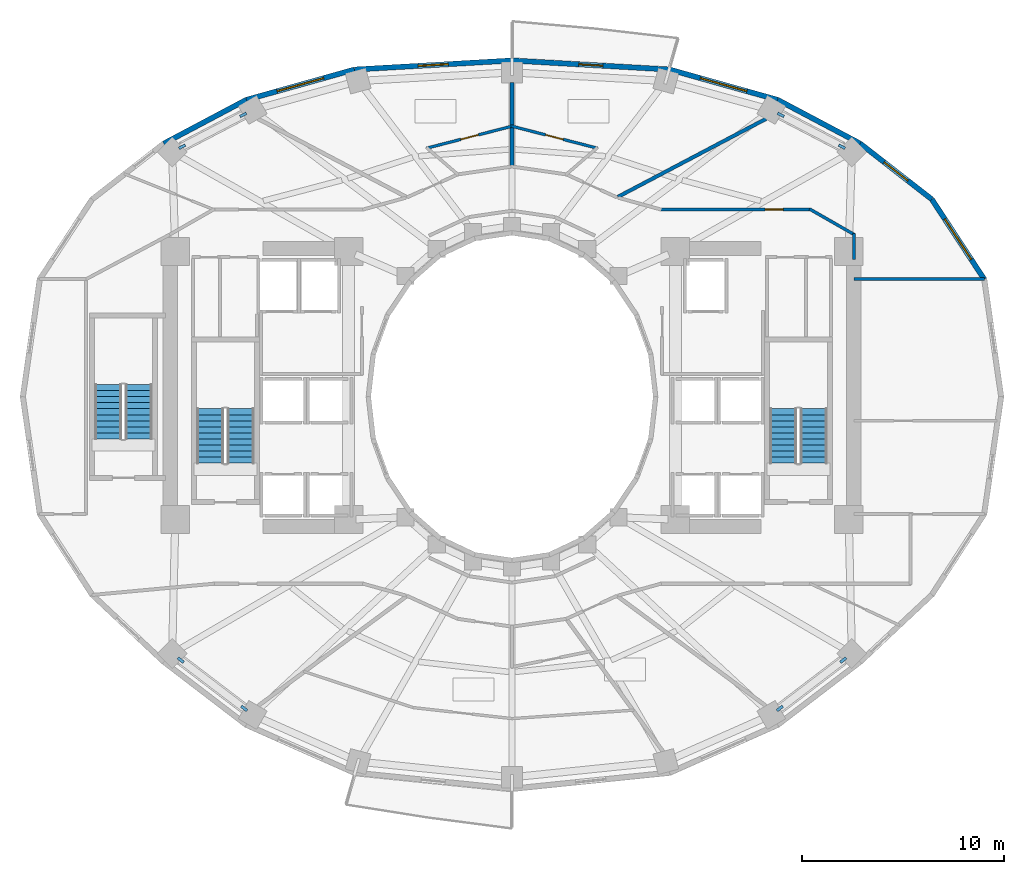
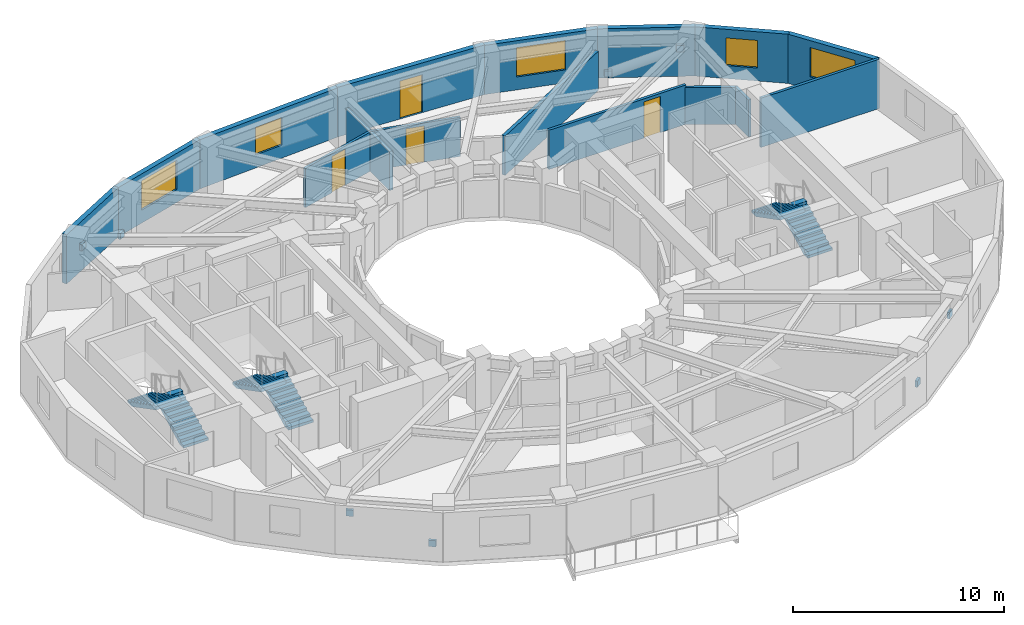
# One storey, part 7 of 9: 16 walls, 8 discrete accessories, 6 stair flights, 5 windows, 4 doors, 9 openings, 3 elements without a shape of their own.
"""IFC4 building model written with IfcOpenShell, lengths in metres."""

from ifc_helpers import new_model, si_unit, direction, frame, frame_2d, origin, origin_2d, place, context, subcontext, project, spatial, polyline, rectangle, outline, extrude, material, layer, layer_set, type_object, element, fill, aggregate, save


model = new_model("IFC4")

# Units and contexts
model_context = context("Model", 3, precision=1e-05, world=origin(), true_north=direction((0.0, 1.0)))
body_context = subcontext(model_context, "Body", "Model", "MODEL_VIEW")
ifc_project = project(units=[si_unit("LENGTHUNIT", "METRE"), si_unit("AREAUNIT", "SQUARE_METRE"), si_unit("VOLUMEUNIT", "CUBIC_METRE"), si_unit("PLANEANGLEUNIT", "RADIAN"), si_unit("MASSUNIT", "GRAM", prefix="KILO")], contexts=[model_context])

# Site, building, storey
site_placement = place(None, origin())
site = spatial("IfcSite", under=ifc_project, at=site_placement, CompositionType="ELEMENT")
building_placement = place(site_placement, origin())
building = spatial("IfcBuilding", under=site, at=building_placement, Name="Solvane Sanctuary Tower", CompositionType="ELEMENT")
storey_placement = place(building_placement, frame((0.0, 0.0, 98.0)))
storey = spatial("IfcBuildingStorey", under=building, at=storey_placement, Name="L29", CompositionType="ELEMENT", Elevation=98.0)

# Walls
ifc_material_1 = material(Name="Acoustic Gypsum Partition Board")
ifc_layer_1 = layer(ifc_material_1, 0.14990234375, Name="Acoustic Gypsum Partition Board")
ifc_layer_set_1 = layer_set([ifc_layer_1], Name="Acoustic Gypsum Partition Board")
wall_type_1 = type_object("IfcWallType", Name="Wall W-CORR-150", PredefinedType="PARTITIONING", material=ifc_layer_set_1)
wall_1_placement = place(storey_placement, frame((48.949951171875, 28.8251953125, 0.0), z_axis=(0.0, 0.0, 1.0), x_axis=(1.0, 0.0, 0.0)))
element("IfcWall", 1, at=wall_1_placement, inside=storey, type_object=wall_type_1, Name="L29 East Shoulder North Wall", PredefinedType="PARTITIONING", context=body_context, shape_type="SweptSolid", body=[
    extrude(rectangle(XDim=6.49169921875, YDim=0.14990234375, at=frame_2d((3.245849609375, 0.0))), origin(), (0.0, 0.0, 1.0), 2.85498046875),
])
wall_2_placement = place(storey_placement, frame((48.949951171875, 29.800048828125, 0.0), z_axis=(0.0, 0.0, 1.0), x_axis=(0.0, 1.0, 0.0)))
element("IfcWall", 2, at=wall_2_placement, inside=storey, type_object=wall_type_1, Name="L29 NE Corner Closer 1", PredefinedType="PARTITIONING", context=body_context, shape_type="SweptSolid", body=[
    extrude(rectangle(XDim=1.2900390625, YDim=0.14990234375, at=frame_2d((0.64501953125, 0.0))), origin(), (0.0, 0.0, 1.0), 2.14208984375),
])

# Wall, opening, door
wall_3_placement = place(storey_placement, frame((39.330078125, 32.280029296875, 0.0), z_axis=(0.0, 0.0, 1.0), x_axis=(1.0, 0.0, 0.0)))
wall_3 = element("IfcWall", 3, at=wall_3_placement, inside=storey, type_object=wall_type_1, Name="L29 NE Corner Corridor Wall", PredefinedType="PARTITIONING", context=body_context, shape_type="SweptSolid", body=[
    extrude(rectangle(XDim=7.52001953125, YDim=0.14990234375, at=frame_2d((3.760009765625, 0.0))), origin(), (0.0, 0.0, 1.0), 2.27197265625),
])
opening_1_placement = place(wall_3_placement, frame((5.219970703125, 0.0, 0.0)))
opening_1 = element("IfcOpeningElement", 4, at=opening_1_placement, cuts=wall_3, Name="Opening D-L29-15", PredefinedType="OPENING", context=body_context, shape_type="SweptSolid", body=[
    extrude(rectangle(XDim=0.89990234375, YDim=2.10009765625, at=frame_2d((0.449951171875, 1.050048828125))), frame((0.0, 0.0849609375, 0.0), z_axis=(0.0, -1.0, 0.0), x_axis=(1.0, 0.0, 0.0)), (0.0, 0.0, 1.0), 0.169921875),
])
ifc_material_2 = material(Name="Engineered Tropical Hardwood", Category="wood")
door_type_1 = type_object("IfcDoorType", Name="Door D-WET-900", OperationType="NOTDEFINED", PredefinedType="DOOR", material=ifc_material_2)
door_1_placement = place(opening_1_placement, origin())
door_1 = element("IfcDoor", 5, at=door_1_placement, inside=storey, type_object=door_type_1, Name="L29 NE Corner Salon Door", OperationType="SINGLE_SWING_LEFT", OverallHeight=2.10009765625, OverallWidth=0.89990234375, PredefinedType="DOOR", context=body_context, shape_type="SweptSolid", body=[
    extrude(rectangle(XDim=0.89990234375, YDim=2.10009765625, at=frame_2d((0.449951171875, 1.050048828125))), frame((0.0, 0.02490234375, 0.0), z_axis=(0.0, -1.0, 0.0), x_axis=(1.0, 0.0, 0.0)), (0.0, 0.0, 1.0), 0.050048828125),
])
fill(opening_1, door_1)

# Wall
wall_4_placement = place(storey_placement, frame((46.756591796875, 32.3046875, 0.0), z_axis=(0.0, 0.0, 1.0), x_axis=(0.867991349648, -0.496579315857, 0.0)))
element("IfcWall", 6, at=wall_4_placement, inside=storey, type_object=wall_type_1, Name="L29 NE Corner Wing Wall", PredefinedType="PARTITIONING", context=body_context, shape_type="SweptSolid", body=[
    extrude(rectangle(XDim=2.56689453125, YDim=0.14990234375, at=frame_2d((1.283447265625, 0.0))), origin(), (0.0, 0.0, 1.0), 2.14208984375),
])

# Wall, opening, window
ifc_material_3 = material(Name="Precast concrete C40/50", Category="concrete")
ifc_layer_2 = layer(ifc_material_3, 0.260009765625, Name="Precast concrete C40/50")
ifc_layer_set_2 = layer_set([ifc_layer_2], Name="Precast concrete C40/50")
wall_type_2 = type_object("IfcWallType", Name="Wall W-EXT-250", PredefinedType="STANDARD", material=ifc_layer_set_2)
wall_5_placement = place(storey_placement, frame((55.421875, 28.818603515625, 0.0), z_axis=(0.0, 0.0, 1.0), x_axis=(-0.548283220945, 0.836292717672, 0.0)))
wall_5 = element("IfcWall", 7, at=wall_5_placement, inside=storey, type_object=wall_type_2, Name="L29 Ceramic-Printed Facade Wall 01", PredefinedType="STANDARD", context=body_context, shape_type="SweptSolid", body=[
    extrude(rectangle(XDim=4.744384765625, YDim=0.260009765625, at=frame_2d((2.3720703125, 0.0))), origin(), (0.0, 0.0, 1.0), 2.85009765625),
])
opening_2_placement = place(wall_5_placement, frame((1.172119140625, 0.0, 0.75)))
opening_2 = element("IfcOpeningElement", 8, at=opening_2_placement, cuts=wall_5, Name="Opening WN-RIB-2400", PredefinedType="OPENING", context=body_context, shape_type="SweptSolid", body=[
    extrude(rectangle(XDim=2.39990234375, YDim=1.699951171875, at=frame_2d((1.199951171875, 0.85009765625))), frame((0.0, 0.139892578125, 0.0), z_axis=(0.0, -1.0, 0.0), x_axis=(1.0, 0.0, 0.0)), (0.0, 0.0, 1.0), 0.280029296875),
])
ifc_material_4 = material(Name="Dark Ceramic-Fritted Low-E Glass", Category="glass")
window_type_1 = type_object("IfcWindowType", Name="Window WN-RIB-2400", PartitioningType="SINGLE_PANEL", PredefinedType="WINDOW", material=ifc_material_4)
window_1_placement = place(opening_2_placement, origin())
window_1 = element("IfcWindow", 9, at=window_1_placement, inside=storey, type_object=window_type_1, Name="L29 Operable Facade Window 01", OverallHeight=1.699951171875, OverallWidth=2.39990234375, PartitioningType="SINGLE_PANEL", PredefinedType="WINDOW", context=body_context, shape_type="SweptSolid", body=[
    extrude(rectangle(XDim=2.39990234375, YDim=1.699951171875, at=frame_2d((1.199951171875, 0.85009765625))), frame((0.0, 0.030029296875, 0.0), z_axis=(0.0, -1.0, 0.0), x_axis=(1.0, 0.0, 0.0)), (0.0, 0.0, 1.0), 0.06005859375),
])
fill(opening_2, window_1)

wall_6_placement = place(storey_placement, frame((52.820556640625, 32.786376953125, 0.0), z_axis=(0.0, 0.0, 1.0), x_axis=(-0.789127449954, 0.614229491094, 0.0)))
wall_6 = element("IfcWall", 10, at=wall_6_placement, inside=storey, type_object=wall_type_2, Name="L29 Ceramic-Printed Facade Wall 02", PredefinedType="STANDARD", context=body_context, shape_type="SweptSolid", body=[
    extrude(rectangle(XDim=4.504638671875, YDim=0.260009765625, at=frame_2d((2.25244140625, 0.0))), origin(), (0.0, 0.0, 1.0), 2.85009765625),
])
opening_3_placement = place(wall_6_placement, frame((1.502197265625, 0.0, 0.75)))
opening_3 = element("IfcOpeningElement", 11, at=opening_3_placement, cuts=wall_6, Name="Opening WN-OPER-1500", PredefinedType="OPENING", context=body_context, shape_type="SweptSolid", body=[
    extrude(rectangle(XDim=1.5, YDim=1.60009765625, at=frame_2d((0.75, 0.800048828125))), frame((0.0, 0.139892578125, 0.0), z_axis=(0.0, -1.0, 0.0), x_axis=(1.0, 0.0, 0.0)), (0.0, 0.0, 1.0), 0.280029296875),
])
window_type_2 = type_object("IfcWindowType", Name="Window WN-OPER-1500", PartitioningType="SINGLE_PANEL", PredefinedType="WINDOW", material=ifc_material_4)
window_2_placement = place(opening_3_placement, origin())
window_2 = element("IfcWindow", 12, at=window_2_placement, inside=storey, type_object=window_type_2, Name="L29 Operable Facade Window 02", OverallHeight=1.60009765625, OverallWidth=1.5, PartitioningType="SINGLE_PANEL", PredefinedType="WINDOW", context=body_context, shape_type="SweptSolid", body=[
    extrude(rectangle(XDim=1.5, YDim=1.60009765625, at=frame_2d((0.75, 0.800048828125))), frame((0.0, 0.030029296875, 0.0), z_axis=(0.0, -1.0, 0.0), x_axis=(1.0, 0.0, 0.0)), (0.0, 0.0, 1.0), 0.06005859375),
])
fill(opening_3, window_2)

# Wall
wall_7_placement = place(storey_placement, frame((49.265869140625, 35.55322265625, 0.0), z_axis=(0.0, 0.0, 1.0), x_axis=(-0.883668636807, 0.4681129568, 0.0)))
element("IfcWall", 13, at=wall_7_placement, inside=storey, type_object=wall_type_2, Name="L29 Ceramic-Printed Facade Wall 03", PredefinedType="STANDARD", context=body_context, shape_type="SweptSolid", body=[
    extrude(rectangle(XDim=4.63134765625, YDim=0.260009765625, at=frame_2d((2.315673828125, 0.0))), origin(), (0.0, 0.0, 1.0), 2.85009765625),
])

# Wall, opening, window
wall_8_placement = place(storey_placement, frame((45.17333984375, 37.72119140625, 0.0), z_axis=(0.0, 0.0, 1.0), x_axis=(-0.962938491413, 0.269721081407, 0.0)))
wall_8 = element("IfcWall", 14, at=wall_8_placement, inside=storey, type_object=wall_type_2, Name="L29 Ceramic-Printed Facade Wall 04", PredefinedType="STANDARD", context=body_context, shape_type="SweptSolid", body=[
    extrude(rectangle(XDim=5.563232421875, YDim=0.260009765625, at=frame_2d((2.78173828125, 0.0))), origin(), (0.0, 0.0, 1.0), 2.85009765625),
])
opening_4_placement = place(wall_8_placement, frame((1.58154296875, 0.0, 0.75)))
opening_4 = element("IfcOpeningElement", 15, at=opening_4_placement, cuts=wall_8, Name="Opening WN-RIB-2400", PredefinedType="OPENING", context=body_context, shape_type="SweptSolid", body=[
    extrude(rectangle(XDim=2.39990234375, YDim=1.699951171875, at=frame_2d((1.199951171875, 0.85009765625))), frame((0.0, 0.139892578125, 0.0), z_axis=(0.0, -1.0, 0.0), x_axis=(1.0, 0.0, 0.0)), (0.0, 0.0, 1.0), 0.280029296875),
])
window_3_placement = place(opening_4_placement, origin())
window_3 = element("IfcWindow", 16, at=window_3_placement, inside=storey, type_object=window_type_1, Name="L29 Operable Facade Window 04", OverallHeight=1.699951171875, OverallWidth=2.39990234375, PartitioningType="SINGLE_PANEL", PredefinedType="WINDOW", context=body_context, shape_type="SweptSolid", body=[
    extrude(rectangle(XDim=2.39990234375, YDim=1.699951171875, at=frame_2d((1.199951171875, 0.85009765625))), frame((0.0, 0.030029296875, 0.0), z_axis=(0.0, -1.0, 0.0), x_axis=(1.0, 0.0, 0.0)), (0.0, 0.0, 1.0), 0.06005859375),
])
fill(opening_4, window_3)

# Wall, opening, door
wall_9_placement = place(storey_placement, frame((39.81640625, 39.2216796875, 0.0), z_axis=(0.0, 0.0, 1.0), x_axis=(-0.998352606703, 0.057376586592, 0.0)))
wall_9 = element("IfcWall", 17, at=wall_9_placement, inside=storey, type_object=wall_type_2, Name="L29 Balcony Facade Wall NC", PredefinedType="STANDARD", context=body_context, shape_type="SweptSolid", body=[
    extrude(rectangle(XDim=7.829345703125, YDim=0.260009765625, at=frame_2d((3.91455078125, 0.0))), origin(), (0.0, 0.0, 1.0), 2.8798828125),
])
opening_5_placement = place(wall_9_placement, frame((3.314697265625, 0.0, 0.0)))
opening_5 = element("IfcOpeningElement", 18, at=opening_5_placement, cuts=wall_9, Name="Opening D-L29-01", PredefinedType="OPENING", context=body_context, shape_type="SweptSolid", body=[
    extrude(rectangle(XDim=1.199951171875, YDim=2.199951171875, at=frame_2d((0.60009765625, 1.10009765625))), frame((0.0, 0.139892578125, 0.0), z_axis=(0.0, -1.0, 0.0), x_axis=(1.0, 0.0, 0.0)), (0.0, 0.0, 1.0), 0.280029296875),
])
ifc_material_5 = material(Name="Anodised Aluminium 6063-T6", Category="aluminium")
door_type_2 = type_object("IfcDoorType", Name="Door D-BALC-1200", OperationType="NOTDEFINED", PredefinedType="DOOR", material=ifc_material_5)
door_2_placement = place(opening_5_placement, origin())
door_2 = element("IfcDoor", 19, at=door_2_placement, inside=storey, type_object=door_type_2, Name="L29 Glazed Balcony Door NC", OperationType="SINGLE_SWING_RIGHT", OverallHeight=2.199951171875, OverallWidth=1.199951171875, PredefinedType="DOOR", context=body_context, shape_type="SweptSolid", body=[
    extrude(rectangle(XDim=1.199951171875, YDim=2.199951171875, at=frame_2d((0.60009765625, 1.10009765625))), frame((0.0, 0.02490234375, 0.0), z_axis=(0.0, -1.0, 0.0), x_axis=(1.0, 0.0, 0.0)), (0.0, 0.0, 1.0), 0.050048828125),
])
fill(opening_5, door_2)

# Wall, opening, window
wall_10_placement = place(storey_placement, frame((32.0, 39.6708984375, 0.0), z_axis=(0.0, 0.0, 1.0), x_axis=(-0.998352606703, -0.057376586592, 0.0)))
wall_10 = element("IfcWall", 20, at=wall_10_placement, inside=storey, type_object=wall_type_2, Name="L29 Ceramic-Printed Facade Wall 06", PredefinedType="STANDARD", context=body_context, shape_type="SweptSolid", body=[
    extrude(rectangle(XDim=7.829345703125, YDim=0.260009765625, at=frame_2d((3.91455078125, 0.0))), origin(), (0.0, 0.0, 1.0), 2.85009765625),
])
opening_6_placement = place(wall_10_placement, frame((3.16455078125, 0.0, 0.75)))
opening_6 = element("IfcOpeningElement", 21, at=opening_6_placement, cuts=wall_10, Name="Opening WN-OPER-1500", PredefinedType="OPENING", context=body_context, shape_type="SweptSolid", body=[
    extrude(rectangle(XDim=1.5, YDim=1.60009765625, at=frame_2d((0.75, 0.800048828125))), frame((0.0, 0.139892578125, 0.0), z_axis=(0.0, -1.0, 0.0), x_axis=(1.0, 0.0, 0.0)), (0.0, 0.0, 1.0), 0.280029296875),
])
window_4_placement = place(opening_6_placement, origin())
window_4 = element("IfcWindow", 22, at=window_4_placement, inside=storey, type_object=window_type_2, Name="L29 Operable Facade Window 06", OverallHeight=1.60009765625, OverallWidth=1.5, PartitioningType="SINGLE_PANEL", PredefinedType="WINDOW", context=body_context, shape_type="SweptSolid", body=[
    extrude(rectangle(XDim=1.5, YDim=1.60009765625, at=frame_2d((0.75, 0.800048828125))), frame((0.0, 0.030029296875, 0.0), z_axis=(0.0, -1.0, 0.0), x_axis=(1.0, 0.0, 0.0)), (0.0, 0.0, 1.0), 0.06005859375),
])
fill(opening_6, window_4)

wall_11_placement = place(storey_placement, frame((24.18359375, 39.2216796875, 0.0), z_axis=(0.0, 0.0, 1.0), x_axis=(-0.962938491413, -0.269721081407, 0.0)))
wall_11 = element("IfcWall", 23, at=wall_11_placement, inside=storey, type_object=wall_type_2, Name="L29 Ceramic-Printed Facade Wall 07", PredefinedType="STANDARD", context=body_context, shape_type="SweptSolid", body=[
    extrude(rectangle(XDim=5.563232421875, YDim=0.260009765625, at=frame_2d((2.78173828125, 0.0))), origin(), (0.0, 0.0, 1.0), 2.85009765625),
])
opening_7_placement = place(wall_11_placement, frame((1.58154296875, 0.0, 0.75)))
opening_7 = element("IfcOpeningElement", 24, at=opening_7_placement, cuts=wall_11, Name="Opening WN-RIB-2400", PredefinedType="OPENING", context=body_context, shape_type="SweptSolid", body=[
    extrude(rectangle(XDim=2.39990234375, YDim=1.699951171875, at=frame_2d((1.199951171875, 0.85009765625))), frame((0.0, 0.139892578125, 0.0), z_axis=(0.0, -1.0, 0.0), x_axis=(1.0, 0.0, 0.0)), (0.0, 0.0, 1.0), 0.280029296875),
])
window_5_placement = place(opening_7_placement, origin())
window_5 = element("IfcWindow", 25, at=window_5_placement, inside=storey, type_object=window_type_1, Name="L29 Operable Facade Window 07", OverallHeight=1.699951171875, OverallWidth=2.39990234375, PartitioningType="SINGLE_PANEL", PredefinedType="WINDOW", context=body_context, shape_type="SweptSolid", body=[
    extrude(rectangle(XDim=2.39990234375, YDim=1.699951171875, at=frame_2d((1.199951171875, 0.85009765625))), frame((0.0, 0.030029296875, 0.0), z_axis=(0.0, -1.0, 0.0), x_axis=(1.0, 0.0, 0.0)), (0.0, 0.0, 1.0), 0.06005859375),
])
fill(opening_7, window_5)

# Walls
wall_12_placement = place(storey_placement, frame((18.82666015625, 37.72119140625, 0.0), z_axis=(0.0, 0.0, 1.0), x_axis=(-0.883668636807, -0.4681129568, 0.0)))
element("IfcWall", 26, at=wall_12_placement, inside=storey, type_object=wall_type_2, Name="L29 Ceramic-Printed Facade Wall 08", PredefinedType="STANDARD", context=body_context, shape_type="SweptSolid", body=[
    extrude(rectangle(XDim=4.63134765625, YDim=0.260009765625, at=frame_2d((2.315673828125, 0.0))), origin(), (0.0, 0.0, 1.0), 2.85009765625),
])
ifc_layer_3 = layer(ifc_material_1, 0.179931640625, Name="Acoustic Gypsum Partition Board")
ifc_layer_set_3 = layer_set([ifc_layer_3], Name="Acoustic Gypsum Partition Board")
wall_type_3 = type_object("IfcWallType", Name="Wall W-UNIT-180", PredefinedType="PARTITIONING", material=ifc_layer_set_3)
wall_13_placement = place(storey_placement, frame((37.253662109375, 32.906982421875, 0.0), z_axis=(0.0, 0.0, 1.0), x_axis=(0.884730147854, 0.466103599512, 0.0)))
element("IfcWall", 27, at=wall_13_placement, inside=storey, type_object=wall_type_3, Name="L29 Radial Compartment Wall 060", PredefinedType="PARTITIONING", context=body_context, shape_type="SweptSolid", body=[
    extrude(rectangle(XDim=8.309814453125, YDim=0.179931640625, at=frame_2d((4.15478515625, 0.0))), origin(), (0.0, 0.0, 1.0), 2.27197265625),
])
wall_14_placement = place(storey_placement, frame((32.0, 34.465087890625, 0.0), z_axis=(0.0, 0.0, 1.0), x_axis=(0.0, 1.0, 0.0)))
element("IfcWall", 28, at=wall_14_placement, inside=storey, type_object=wall_type_3, Name="L29 Radial Compartment Wall 090", PredefinedType="PARTITIONING", context=body_context, shape_type="SweptSolid", body=[
    extrude(rectangle(XDim=4.10986328125, YDim=0.179931640625, at=frame_2d((2.054931640625, 0.0))), origin(), (0.0, 0.0, 1.0), 2.27197265625),
])

# Wall, opening, door
ifc_layer_4 = layer(ifc_material_1, 0.139892578125, Name="Acoustic Gypsum Partition Board")
ifc_layer_set_4 = layer_set([ifc_layer_4], Name="Acoustic Gypsum Partition Board")
wall_type_4 = type_object("IfcWallType", Name="Wall W-WET-140", PredefinedType="PLUMBINGWALL", material=ifc_layer_set_4)
wall_15_placement = place(storey_placement, frame((36.25732421875, 35.314697265625, 0.0), z_axis=(0.0, 0.0, 1.0), x_axis=(-0.968452807179, 0.249197031015, 0.0)))
wall_15 = element("IfcWall", 29, at=wall_15_placement, inside=storey, type_object=wall_type_4, Name="L29 En-suite Bedroom Wall N1", PredefinedType="PLUMBINGWALL", context=body_context, shape_type="SweptSolid", body=[
    extrude(rectangle(XDim=4.44580078125, YDim=0.139892578125, at=frame_2d((2.222900390625, 0.0))), origin(), (0.0, 0.0, 1.0), 2.27197265625),
])
opening_8_placement = place(wall_15_placement, frame((1.77294921875, 0.0, 0.0)))
opening_8 = element("IfcOpeningElement", 30, at=opening_8_placement, cuts=wall_15, Name="Opening D-L29-21", PredefinedType="OPENING", context=body_context, shape_type="SweptSolid", body=[
    extrude(rectangle(XDim=0.89990234375, YDim=2.10009765625, at=frame_2d((0.449951171875, 1.050048828125))), frame((0.0, 0.079833984375, 0.0), z_axis=(0.0, -1.0, 0.0), x_axis=(1.0, 0.0, 0.0)), (0.0, 0.0, 1.0), 0.159912109375),
])
door_3_placement = place(opening_8_placement, origin())
door_3 = element("IfcDoor", 31, at=door_3_placement, inside=storey, type_object=door_type_1, Name="L29 En-suite Bathroom Door N1", OperationType="SINGLE_SWING_LEFT", OverallHeight=2.10009765625, OverallWidth=0.89990234375, PredefinedType="DOOR", context=body_context, shape_type="SweptSolid", body=[
    extrude(rectangle(XDim=0.89990234375, YDim=2.10009765625, at=frame_2d((0.449951171875, 1.050048828125))), frame((0.0, 0.02490234375, 0.0), z_axis=(0.0, -1.0, 0.0), x_axis=(1.0, 0.0, 0.0)), (0.0, 0.0, 1.0), 0.050048828125),
])
fill(opening_8, door_3)

wall_16_placement = place(storey_placement, frame((32.04833984375, 36.422607421875, 0.0), z_axis=(0.0, 0.0, 1.0), x_axis=(-0.968452807179, -0.249197031015, 0.0)))
wall_16 = element("IfcWall", 32, at=wall_16_placement, inside=storey, type_object=wall_type_4, Name="L29 En-suite Bedroom Wall N2", PredefinedType="PLUMBINGWALL", context=body_context, shape_type="SweptSolid", body=[
    extrude(rectangle(XDim=4.44580078125, YDim=0.139892578125, at=frame_2d((2.222900390625, 0.0))), origin(), (0.0, 0.0, 1.0), 2.27197265625),
])
opening_9_placement = place(wall_16_placement, frame((1.77294921875, 0.0, 0.0)))
opening_9 = element("IfcOpeningElement", 33, at=opening_9_placement, cuts=wall_16, Name="Opening D-L29-23", PredefinedType="OPENING", context=body_context, shape_type="SweptSolid", body=[
    extrude(rectangle(XDim=0.89990234375, YDim=2.10009765625, at=frame_2d((0.449951171875, 1.050048828125))), frame((0.0, 0.079833984375, 0.0), z_axis=(0.0, -1.0, 0.0), x_axis=(1.0, 0.0, 0.0)), (0.0, 0.0, 1.0), 0.159912109375),
])
door_4_placement = place(opening_9_placement, origin())
door_4 = element("IfcDoor", 34, at=door_4_placement, inside=storey, type_object=door_type_1, Name="L29 En-suite Bathroom Door N2", OperationType="SINGLE_SWING_LEFT", OverallHeight=2.10009765625, OverallWidth=0.89990234375, PredefinedType="DOOR", context=body_context, shape_type="SweptSolid", body=[
    extrude(rectangle(XDim=0.89990234375, YDim=2.10009765625, at=frame_2d((0.449951171875, 1.050048828125))), frame((0.0, 0.02490234375, 0.0), z_axis=(0.0, -1.0, 0.0), x_axis=(1.0, 0.0, 0.0)), (0.0, 0.0, 1.0), 0.050048828125),
])
fill(opening_9, door_4)

# Stair, stair flights
ifc_material_6 = material(Name="Concrete C45/55", Category="concrete")
stair_type = type_object("IfcStairType", Name="Stair ST-TOW", PredefinedType="HALF_TURN_STAIR", material=ifc_material_6)
stair_1_placement = place(storey_placement, origin())
stair_1 = element("IfcStair", 35, at=stair_1_placement, inside=storey, type_object=stair_type, Name="L29 Exit Stair ST-1 West Core", PredefinedType="HALF_TURN_STAIR")
stair_flight_type = type_object("IfcStairFlightType", Name="StairFlight SF-TOW", PredefinedType="STRAIGHT", material=ifc_material_6)
stair_flight_1_placement = place(storey_placement, frame((18.544921875, 19.699951171875, 0.0), z_axis=(0.0, 0.0, 1.0), x_axis=(0.0, 1.0, 0.0)))
stair_flight_1 = element("IfcStairFlight", 36, at=stair_flight_1_placement, type_object=stair_flight_type, Name="ST-1 flight 1", NumberOfRisers=10, NumberOfTreads=9, PredefinedType="STRAIGHT", RiserHeight=0.155, TreadLength=0.3, context=body_context, shape_type="SweptSolid", body=[
    extrude(outline(polyline([(0.0, 0.0), (0.0, 0.155029296875), (0.300048828125, 0.155029296875), (0.300048828125, 0.31005859375), (0.60009765625, 0.31005859375), (0.60009765625, 0.465087890625), (0.89990234375, 0.465087890625), (0.89990234375, 0.6201171875), (1.199951171875, 0.6201171875), (1.199951171875, 0.77490234375), (1.5, 0.77490234375), (1.5, 0.929931640625), (1.800048828125, 0.929931640625), (1.800048828125, 1.0849609375), (2.10009765625, 1.0849609375), (2.10009765625, 1.239990234375), (2.39990234375, 1.239990234375), (2.39990234375, 1.39501953125), (2.699951171875, 1.39501953125), (2.699951171875, 1.550048828125), (2.699951171875, 1.1923828125), (0.39208984375, 0.0), (0.0, 0.0)])), frame((0.0, 0.675048828125, 0.0), z_axis=(0.0, -1.0, 0.0), x_axis=(1.0, 0.0, 0.0)), (0.0, 0.0, 1.0), 1.35009765625),
])
stair_flight_2_placement = place(storey_placement, frame((17.034912109375, 22.39990234375, 1.550048828125), z_axis=(0.0, 0.0, 1.0), x_axis=(0.0, -1.0, 0.0)))
stair_flight_2 = element("IfcStairFlight", 37, at=stair_flight_2_placement, type_object=stair_flight_type, Name="ST-1 flight 2", NumberOfRisers=10, NumberOfTreads=9, PredefinedType="STRAIGHT", RiserHeight=0.155, TreadLength=0.3, context=body_context, shape_type="SweptSolid", body=[
    extrude(outline(polyline([(0.0, 0.0), (0.0, 0.155029296875), (0.300048828125, 0.155029296875), (0.300048828125, 0.31005859375), (0.60009765625, 0.31005859375), (0.60009765625, 0.465087890625), (0.89990234375, 0.465087890625), (0.89990234375, 0.6201171875), (1.199951171875, 0.6201171875), (1.199951171875, 0.77490234375), (1.5, 0.77490234375), (1.5, 0.929931640625), (1.800048828125, 0.929931640625), (1.800048828125, 1.0849609375), (2.10009765625, 1.0849609375), (2.10009765625, 1.239990234375), (2.39990234375, 1.239990234375), (2.39990234375, 1.39501953125), (2.699951171875, 1.39501953125), (2.699951171875, 1.550048828125), (2.699951171875, 1.1923828125), (0.39208984375, 0.0), (0.0, 0.0)])), frame((0.0, 0.675048828125, 0.0), z_axis=(0.0, -1.0, 0.0), x_axis=(1.0, 0.0, 0.0)), (0.0, 0.0, 1.0), 1.35009765625),
])
aggregate(stair_1, [stair_flight_1, stair_flight_2])

stair_2_placement = place(storey_placement, origin())
stair_2 = element("IfcStair", 38, at=stair_2_placement, inside=storey, type_object=stair_type, Name="L29 Exit Stair ST-2 East Core", PredefinedType="HALF_TURN_STAIR")
stair_flight_3_placement = place(storey_placement, frame((46.965087890625, 19.699951171875, 0.0), z_axis=(0.0, 0.0, 1.0), x_axis=(0.0, 1.0, 0.0)))
stair_flight_3 = element("IfcStairFlight", 39, at=stair_flight_3_placement, type_object=stair_flight_type, Name="ST-2 flight 1", NumberOfRisers=10, NumberOfTreads=9, PredefinedType="STRAIGHT", RiserHeight=0.155, TreadLength=0.3, context=body_context, shape_type="SweptSolid", body=[
    extrude(outline(polyline([(0.0, 0.0), (0.0, 0.155029296875), (0.300048828125, 0.155029296875), (0.300048828125, 0.31005859375), (0.60009765625, 0.31005859375), (0.60009765625, 0.465087890625), (0.89990234375, 0.465087890625), (0.89990234375, 0.6201171875), (1.199951171875, 0.6201171875), (1.199951171875, 0.77490234375), (1.5, 0.77490234375), (1.5, 0.929931640625), (1.800048828125, 0.929931640625), (1.800048828125, 1.0849609375), (2.10009765625, 1.0849609375), (2.10009765625, 1.239990234375), (2.39990234375, 1.239990234375), (2.39990234375, 1.39501953125), (2.699951171875, 1.39501953125), (2.699951171875, 1.550048828125), (2.699951171875, 1.1923828125), (0.39208984375, 0.0), (0.0, 0.0)])), frame((0.0, 0.675048828125, 0.0), z_axis=(0.0, -1.0, 0.0), x_axis=(1.0, 0.0, 0.0)), (0.0, 0.0, 1.0), 1.35009765625),
])
stair_flight_4_placement = place(storey_placement, frame((45.455078125, 22.39990234375, 1.550048828125), z_axis=(0.0, 0.0, 1.0), x_axis=(0.0, -1.0, 0.0)))
stair_flight_4 = element("IfcStairFlight", 40, at=stair_flight_4_placement, type_object=stair_flight_type, Name="ST-2 flight 2", NumberOfRisers=10, NumberOfTreads=9, PredefinedType="STRAIGHT", RiserHeight=0.155, TreadLength=0.3, context=body_context, shape_type="SweptSolid", body=[
    extrude(outline(polyline([(0.0, 0.0), (0.0, 0.155029296875), (0.300048828125, 0.155029296875), (0.300048828125, 0.31005859375), (0.60009765625, 0.31005859375), (0.60009765625, 0.465087890625), (0.89990234375, 0.465087890625), (0.89990234375, 0.6201171875), (1.199951171875, 0.6201171875), (1.199951171875, 0.77490234375), (1.5, 0.77490234375), (1.5, 0.929931640625), (1.800048828125, 0.929931640625), (1.800048828125, 1.0849609375), (2.10009765625, 1.0849609375), (2.10009765625, 1.239990234375), (2.39990234375, 1.239990234375), (2.39990234375, 1.39501953125), (2.699951171875, 1.39501953125), (2.699951171875, 1.550048828125), (2.699951171875, 1.1923828125), (0.39208984375, 0.0), (0.0, 0.0)])), frame((0.0, 0.675048828125, 0.0), z_axis=(0.0, -1.0, 0.0), x_axis=(1.0, 0.0, 0.0)), (0.0, 0.0, 1.0), 1.35009765625),
])
aggregate(stair_2, [stair_flight_3, stair_flight_4])

stair_3_placement = place(storey_placement, origin())
stair_3 = element("IfcStair", 41, at=stair_3_placement, inside=storey, type_object=stair_type, Name="L29 Exit Stair ST-3 Pilgrim Tower Stair", PredefinedType="HALF_TURN_STAIR")
stair_flight_5_placement = place(storey_placement, frame((13.485107421875, 20.89990234375, 0.0), z_axis=(0.0, 0.0, 1.0), x_axis=(0.0, 1.0, 0.0)))
stair_flight_5 = element("IfcStairFlight", 42, at=stair_flight_5_placement, type_object=stair_flight_type, Name="ST-3 flight 1", NumberOfRisers=10, NumberOfTreads=9, PredefinedType="STRAIGHT", RiserHeight=0.155, TreadLength=0.3, context=body_context, shape_type="SweptSolid", body=[
    extrude(outline(polyline([(0.0, 0.0), (0.0, 0.155029296875), (0.300048828125, 0.155029296875), (0.300048828125, 0.31005859375), (0.60009765625, 0.31005859375), (0.60009765625, 0.465087890625), (0.89990234375, 0.465087890625), (0.89990234375, 0.6201171875), (1.199951171875, 0.6201171875), (1.199951171875, 0.77490234375), (1.5, 0.77490234375), (1.5, 0.929931640625), (1.800048828125, 0.929931640625), (1.800048828125, 1.0849609375), (2.10009765625, 1.0849609375), (2.10009765625, 1.239990234375), (2.39990234375, 1.239990234375), (2.39990234375, 1.39501953125), (2.699951171875, 1.39501953125), (2.699951171875, 1.550048828125), (2.699951171875, 1.1923828125), (0.39208984375, 0.0), (0.0, 0.0)])), frame((0.0, 0.675048828125, 0.0), z_axis=(0.0, -1.0, 0.0), x_axis=(1.0, 0.0, 0.0)), (0.0, 0.0, 1.0), 1.35009765625),
])
stair_flight_6_placement = place(storey_placement, frame((11.97509765625, 23.60009765625, 1.550048828125), z_axis=(0.0, 0.0, 1.0), x_axis=(0.0, -1.0, 0.0)))
stair_flight_6 = element("IfcStairFlight", 43, at=stair_flight_6_placement, type_object=stair_flight_type, Name="ST-3 flight 2", NumberOfRisers=10, NumberOfTreads=9, PredefinedType="STRAIGHT", RiserHeight=0.155, TreadLength=0.3, context=body_context, shape_type="SweptSolid", body=[
    extrude(outline(polyline([(0.0, 0.0), (0.0, 0.155029296875), (0.300048828125, 0.155029296875), (0.300048828125, 0.31005859375), (0.60009765625, 0.31005859375), (0.60009765625, 0.465087890625), (0.89990234375, 0.465087890625), (0.89990234375, 0.6201171875), (1.199951171875, 0.6201171875), (1.199951171875, 0.77490234375), (1.5, 0.77490234375), (1.5, 0.929931640625), (1.800048828125, 0.929931640625), (1.800048828125, 1.0849609375), (2.10009765625, 1.0849609375), (2.10009765625, 1.239990234375), (2.39990234375, 1.239990234375), (2.39990234375, 1.39501953125), (2.699951171875, 1.39501953125), (2.699951171875, 1.550048828125), (2.699951171875, 1.1923828125), (0.39208984375, 0.0), (0.0, 0.0)])), frame((0.0, 0.675048828125, 0.0), z_axis=(0.0, -1.0, 0.0), x_axis=(1.0, 0.0, 0.0)), (0.0, 0.0, 1.0), 1.35009765625),
])
aggregate(stair_3, [stair_flight_5, stair_flight_6])

# Discrete accessories
ifc_material_7 = material(Name="Steel ASTM A572 Grade 50", Category="steel")
ifc_layer_5 = layer(ifc_material_7, 0.360107421875, Name="Steel ASTM A572 Grade 50")
ifc_layer_set_5 = layer_set([ifc_layer_5], Name="Steel ASTM A572 Grade 50")
discrete_accessory_type = type_object("IfcDiscreteAccessoryType", Name="Accessory ACC-GUSSET-BRK", PredefinedType="BRACKET", material=ifc_layer_set_5)
for number, where, z_axis, x_axis, name in (
    (44, (45.32861328125, 36.97265625, 0.4111328125), (0.0, 0.0, 1.0), (0.887010833178, -0.461748613235, 0.0), "L29 Perimeter Braced-Tube Diagonal NE End Gusset Bracket A"),
    (45, (48.360595703125, 35.39453125, 1.77099609375), (0.0, 0.0, 1.0), (0.887010833178, -0.461748613235, 0.0), "L29 Perimeter Braced-Tube Diagonal NE End Gusset Bracket B"),
    (46, (18.67138671875, 36.97265625, 0.4111328125), (0.0, 0.0, 1.0), (-0.887010833178, -0.461748613235, 0.0), "L29 Perimeter Braced-Tube Diagonal NW End Gusset Bracket A"),
    (47, (15.639404296875, 35.39453125, 1.77099609375), (0.0, 0.0, 1.0), (-0.887010833178, -0.461748613235, 0.0), "L29 Perimeter Braced-Tube Diagonal NW End Gusset Bracket B"),
    (48, (18.716796875, 7.537353515625, 0.390625), (0.0, 0.0, 1.0), (-0.795473480855, 0.605988400266, 0.0), "L29 Perimeter Braced-Tube Diagonal SW End Gusset Bracket A"),
    (49, (15.572265625, 9.933349609375, 1.80126953125), (0.0, 0.0, 1.0), (-0.795473480855, 0.605988400266, 0.0), "L29 Perimeter Braced-Tube Diagonal SW End Gusset Bracket B"),
    (50, (45.283203125, 7.537353515625, 0.390625), (0.0, 0.0, 1.0), (0.795473480855, 0.605988400266, 0.0), "L29 Perimeter Braced-Tube Diagonal SE End Gusset Bracket A"),
    (51, (48.427734375, 9.933349609375, 1.80126953125), (0.0, 0.0, 1.0), (0.795473480855, 0.605988400266, 0.0), "L29 Perimeter Braced-Tube Diagonal SE End Gusset Bracket B"),
):
    element("IfcDiscreteAccessory", number, at=place(storey_placement, frame(where, z_axis=z_axis, x_axis=x_axis)), inside=storey, type_object=discrete_accessory_type, Name=name, PredefinedType="BRACKET", context=body_context, shape_type="SweptSolid", body=[
        extrude(rectangle(XDim=0.360107421875, YDim=0.139892578125, at=origin_2d()), origin(), (0.0, 0.0, 1.0), 0.360107421875),
    ])

save(model, "model.ifc")
